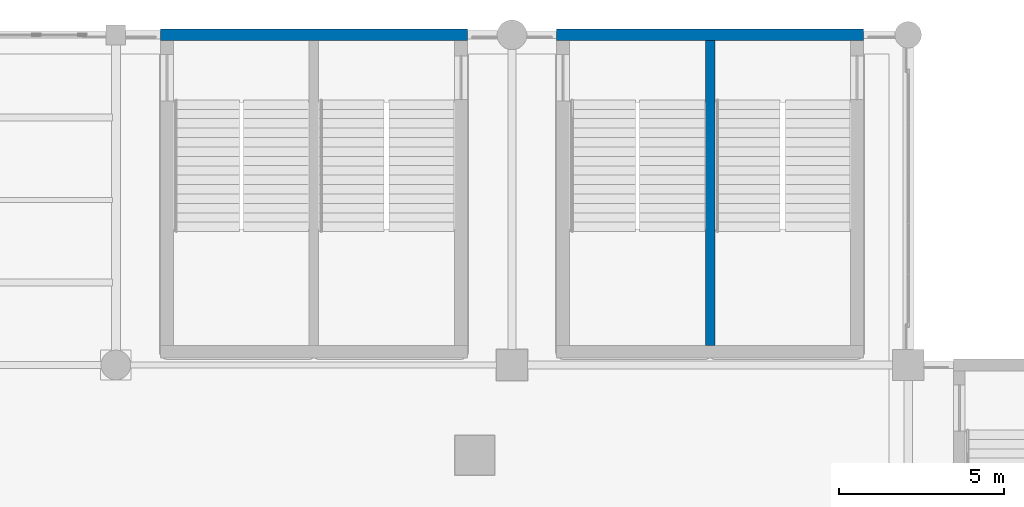
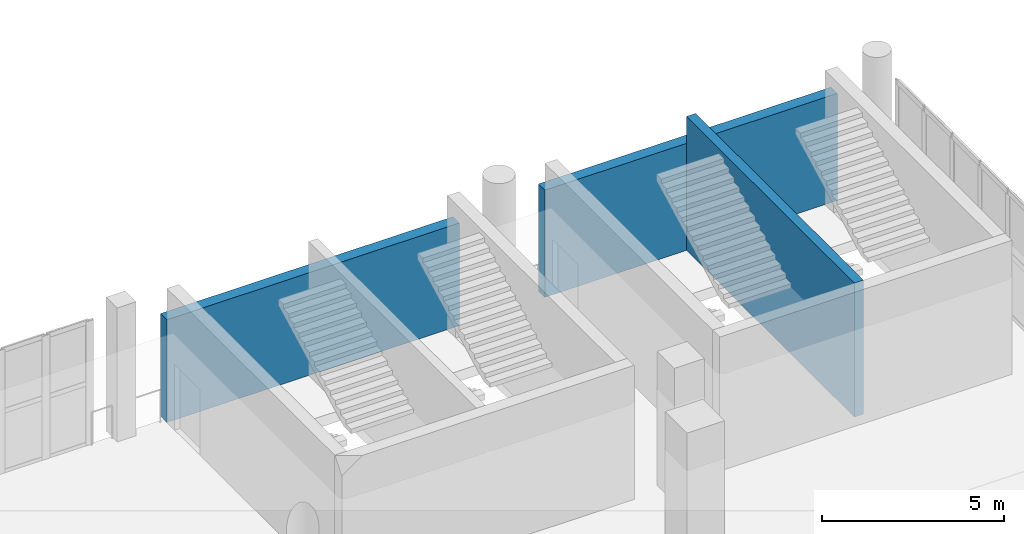
# One storey, part 65 of 90: 3 walls.
"""IFC4 building model written with IfcOpenShell, lengths in metres."""

from ifc_helpers import new_model, si_unit, direction, frame, frame_2d, origin, place, context, subcontext, project, spatial, rectangle, extrude, material, layer, layer_set, type_object, element, save


model = new_model("IFC4")

# Units and contexts
model_context = context("Model", 3, precision=1e-05, world=origin(), true_north=direction((0.0, 1.0)))
body_context = subcontext(model_context, "Body", "Model", "MODEL_VIEW")
ifc_project = project(units=[si_unit("LENGTHUNIT", "METRE"), si_unit("AREAUNIT", "SQUARE_METRE"), si_unit("VOLUMEUNIT", "CUBIC_METRE"), si_unit("PLANEANGLEUNIT", "RADIAN"), si_unit("MASSUNIT", "GRAM", prefix="KILO")], contexts=[model_context])

# Site, building, storey
site_placement = place(None, origin())
site = spatial("IfcSite", under=ifc_project, at=site_placement, CompositionType="ELEMENT")
building_placement = place(site_placement, origin())
building = spatial("IfcBuilding", under=site, at=building_placement, Name="Brinegate Civic Arena", CompositionType="ELEMENT")
storey_placement = place(building_placement, frame((0.0, 0.0, 14.699951171875)))
storey = spatial("IfcBuildingStorey", under=building, at=storey_placement, Name="L03", CompositionType="ELEMENT", Elevation=14.699951171875)

# Walls
ifc_material = material(Name="Concrete C50/60", Category="concrete")
ifc_layer_1 = layer(ifc_material, 0.35009765625, Name="Concrete C50/60")
ifc_layer_set_1 = layer_set([ifc_layer_1], Name="Concrete C50/60")
wall_type_1 = type_object("IfcWallType", Name="WALL-EXT-STAIR-SHEAR-350", PredefinedType="SHEAR", material=ifc_layer_set_1)
wall_1_placement = place(storey_placement, frame((121.35498046875, 124.0, 0.0), z_axis=(0.0, 0.0, 1.0), x_axis=(1.0, 0.0, 0.0)))
element("IfcWall", 1, at=wall_1_placement, inside=storey, type_object=wall_type_1, Name="Stair ST-03 North Shear Wall L03 (WBB-78)", PredefinedType="SHEAR", context=body_context, shape_type="SweptSolid", body=[
    extrude(rectangle(XDim=9.2900390625, YDim=0.35009765625, at=frame_2d((4.64501953125, 0.0))), origin(), (0.0, 0.0, 1.0), 3.595947265625),
])
wall_2_placement = place(storey_placement, frame((109.35498046875, 124.0, 0.0), z_axis=(0.0, 0.0, 1.0), x_axis=(1.0, 0.0, 0.0)))
element("IfcWall", 2, at=wall_2_placement, inside=storey, type_object=wall_type_1, Name="Stair ST-15 North Shear Wall L03 (WBE-96)", PredefinedType="SHEAR", context=body_context, shape_type="SweptSolid", body=[
    extrude(rectangle(XDim=9.2900390625, YDim=0.35009765625, at=frame_2d((4.64501953125, 0.0))), origin(), (0.0, 0.0, 1.0), 3.447021484375),
])
ifc_layer_2 = layer(ifc_material, 0.2900390625, Name="Concrete C50/60")
ifc_layer_set_2 = layer_set([ifc_layer_2], Name="Concrete C50/60")
wall_type_2 = type_object("IfcWallType", Name="WALL-STAIR-SHEAR-290", PredefinedType="SHEAR", material=ifc_layer_set_2)
wall_3_placement = place(storey_placement, frame((126.0, 114.594970703125, 0.0), z_axis=(0.0, 0.0, 1.0), x_axis=(0.0, 1.0, 0.0)))
element("IfcWall", 3, at=wall_3_placement, inside=storey, type_object=wall_type_2, Name="Stair ST-03 Central Dividing Shear Wall L03 (WBB-81)", PredefinedType="SHEAR", context=body_context, shape_type="SweptSolid", body=[
    extrude(rectangle(XDim=9.22998046875, YDim=0.2900390625, at=frame_2d((4.614990234375, 0.0))), origin(), (0.0, 0.0, 1.0), 4.5),
])

save(model, "model.ifc")
